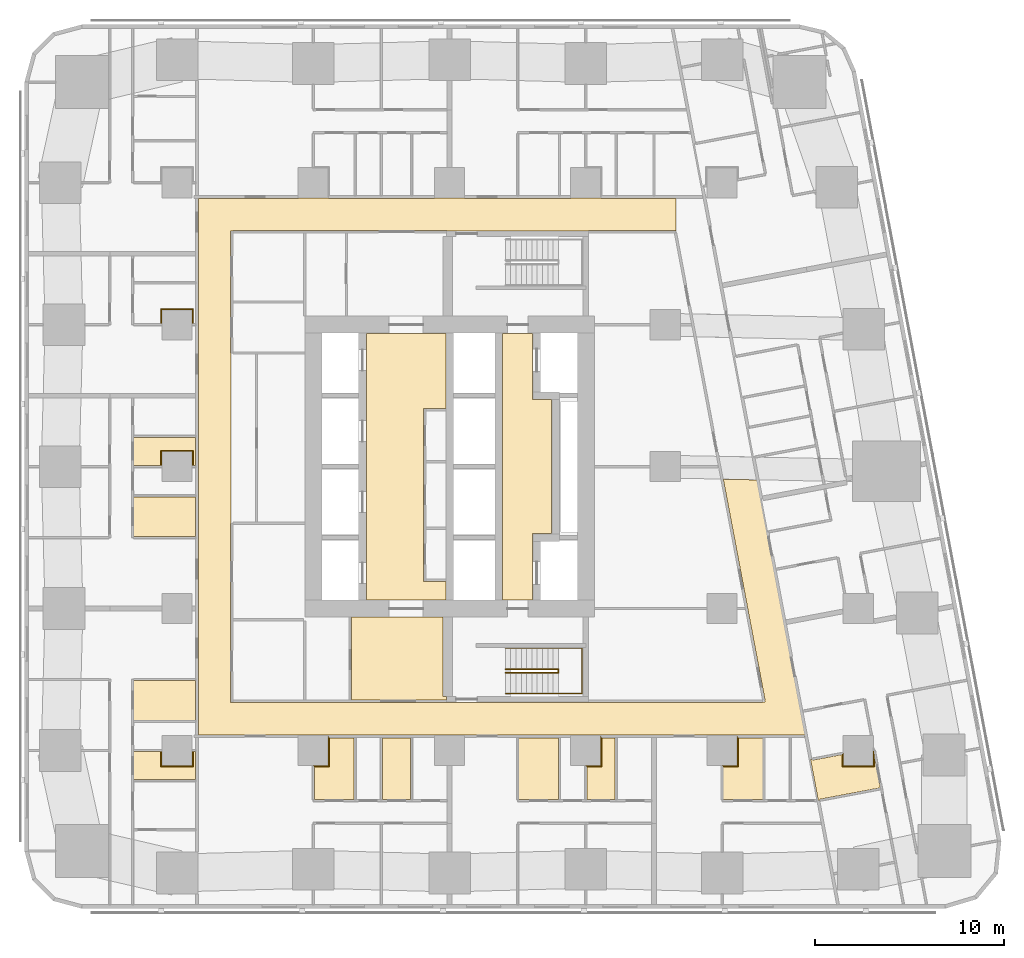
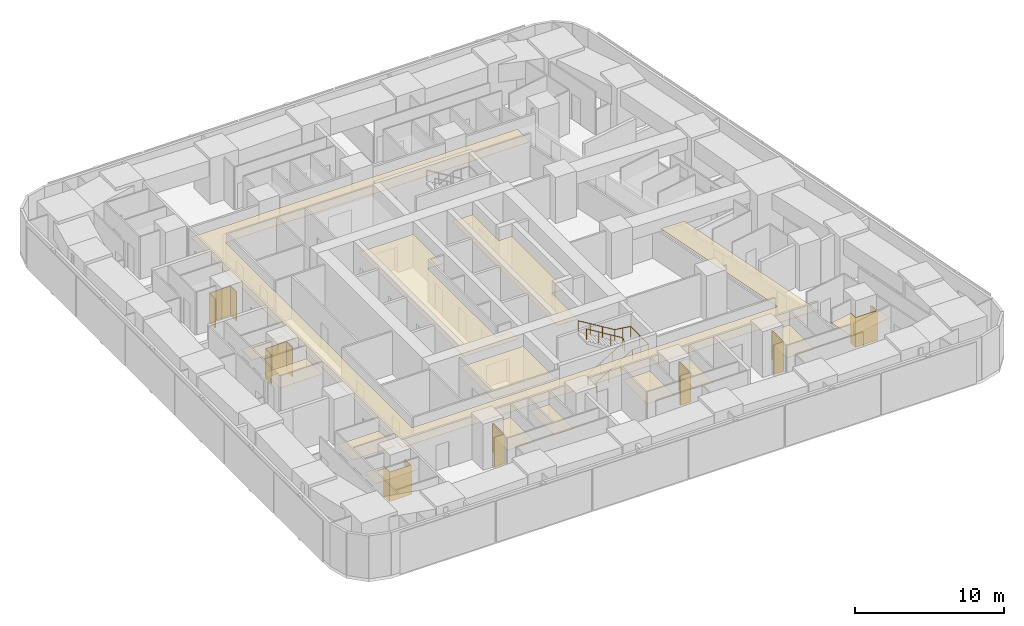
# One storey, part 13 of 15: 21 coverings, 2 railings.
"""IFC4 building model written with IfcOpenShell, lengths in metres."""

from ifc_helpers import new_model, si_unit, direction, frame, origin, origin_2d, place, context, subcontext, project, spatial, polyline, circle, outline, extrude, material, layer, layer_set, type_object, element, save


model = new_model("IFC4")

# Units and contexts
model_context = context("Model", 3, precision=1e-05, world=origin(), true_north=direction((0.0, 1.0)))
body_context = subcontext(model_context, "Body", "Model", "MODEL_VIEW")
ifc_project = project(units=[si_unit("LENGTHUNIT", "METRE"), si_unit("AREAUNIT", "SQUARE_METRE"), si_unit("VOLUMEUNIT", "CUBIC_METRE"), si_unit("PLANEANGLEUNIT", "RADIAN"), si_unit("MASSUNIT", "GRAM", prefix="KILO")], contexts=[model_context])

# Site, building, storey
site_placement = place(None, origin())
site = spatial("IfcSite", under=ifc_project, at=site_placement, CompositionType="ELEMENT")
building_placement = place(site_placement, origin())
building = spatial("IfcBuilding", under=site, at=building_placement, Name="Sheger Commons Tower", CompositionType="ELEMENT")
storey_placement = place(building_placement, frame((0.0, 0.0, 107.89990234375)))
storey = spatial("IfcBuildingStorey", under=building, at=storey_placement, Name="L27", CompositionType="ELEMENT", Elevation=107.89990234375)

# Railings
ifc_material_1 = material(Name="Steel handrail, black powder-coated", Category="steel")
railing_type = type_object("IfcRailingType", Name="HANDRAIL 900", PredefinedType="HANDRAIL", material=ifc_material_1)
railing_1_placement = place(storey_placement, frame((24.550048828125, 11.60009765625, 0.170654296875)))
element("IfcRailing", 1, at=railing_1_placement, inside=storey, type_object=railing_type, Name="Stair S1 handrail L27", PredefinedType="HANDRAIL", context=body_context, shape_type="SweptSolid", body=[
    extrude(circle(Radius=0.02392578125, at=origin_2d()), frame((0.0, 0.0, 0.8759765625), z_axis=(0.854202870247, 0.0, 0.519939858505), x_axis=(0.0, 1.0, 0.0)), (0.0, 0.0, 1.0), 3.278076171875),
    extrude(circle(Radius=0.02392578125, at=origin_2d()), frame((2.800048828125, 0.0, 2.580078125), z_axis=(0.0, 0.760631612298, 0.649183757016), x_axis=(-1.0, 0.0, 0.0)), (0.0, 0.0, 1.0), 0.262939453125),
    extrude(circle(Radius=0.02392578125, at=origin_2d()), frame((2.800048828125, 0.199951171875, 2.7509765625), z_axis=(-0.854202870247, 0.0, 0.519939858505), x_axis=(0.0, -1.0, 0.0)), (0.0, 0.0, 1.0), 3.278076171875),
    extrude(circle(Radius=0.02099609375, at=origin_2d()), origin(), (0.0, 0.0, 1.0), 0.851806640625),
    extrude(circle(Radius=0.02099609375, at=origin_2d()), frame((0.933349609375, 0.0, 0.568115234375)), (0.0, 0.0, 1.0), 0.851806640625),
    extrude(circle(Radius=0.02099609375, at=origin_2d()), frame((1.86669921875, 0.0, 1.13623046875)), (0.0, 0.0, 1.0), 0.851806640625),
    extrude(circle(Radius=0.02099609375, at=origin_2d()), frame((2.800048828125, 0.0, 1.704345703125)), (0.0, 0.0, 1.0), 0.851806640625),
    extrude(circle(Radius=0.02099609375, at=origin_2d()), frame((2.800048828125, 0.199951171875, 1.875)), (0.0, 0.0, 1.0), 0.851806640625),
    extrude(circle(Radius=0.02099609375, at=origin_2d()), frame((1.86669921875, 0.199951171875, 2.443115234375)), (0.0, 0.0, 1.0), 0.851806640625),
    extrude(circle(Radius=0.02099609375, at=origin_2d()), frame((0.933349609375, 0.199951171875, 3.01123046875)), (0.0, 0.0, 1.0), 0.851806640625),
    extrude(circle(Radius=0.02099609375, at=origin_2d()), frame((0.0, 0.199951171875, 3.579345703125)), (0.0, 0.0, 1.0), 0.851806640625),
])
railing_2_placement = place(storey_placement, frame((24.550048828125, 10.5, 0.170654296875)))
element("IfcRailing", 2, at=railing_2_placement, inside=storey, type_object=railing_type, Name="Stair S1 handrail L27", PredefinedType="HANDRAIL", context=body_context, shape_type="SweptSolid", body=[
    extrude(circle(Radius=0.02392578125, at=origin_2d()), frame((0.0, 0.0, 0.8759765625), z_axis=(0.854202870247, 0.0, 0.519939858505), x_axis=(0.0, 1.0, 0.0)), (0.0, 0.0, 1.0), 3.278076171875),
    extrude(circle(Radius=0.02392578125, at=origin_2d()), frame((2.800048828125, 0.0, 2.580078125), z_axis=(1.0, 0.0, 0.0), x_axis=(0.0, 1.0, 0.0)), (0.0, 0.0, 1.0), 1.25),
    extrude(circle(Radius=0.02392578125, at=origin_2d()), frame((4.050048828125, 0.0, 2.580078125), z_axis=(0.0, 1.0, 0.0), x_axis=(-1.0, 0.0, 0.0)), (0.0, 0.0, 1.0), 2.39990234375),
    extrude(circle(Radius=0.02392578125, at=origin_2d()), frame((4.050048828125, 2.39990234375, 2.580078125), z_axis=(-0.990808959222, 0.0, 0.135268645019), x_axis=(0.0, -1.0, 0.0)), (0.0, 0.0, 1.0), 1.261474609375),
    extrude(circle(Radius=0.02392578125, at=origin_2d()), frame((2.800048828125, 2.39990234375, 2.7509765625), z_axis=(-0.854202870247, 0.0, 0.519939858505), x_axis=(0.0, -1.0, 0.0)), (0.0, 0.0, 1.0), 3.278076171875),
    extrude(circle(Radius=0.02099609375, at=origin_2d()), origin(), (0.0, 0.0, 1.0), 0.851806640625),
    extrude(circle(Radius=0.02099609375, at=origin_2d()), frame((0.933349609375, 0.0, 0.568115234375)), (0.0, 0.0, 1.0), 0.851806640625),
    extrude(circle(Radius=0.02099609375, at=origin_2d()), frame((1.86669921875, 0.0, 1.13623046875)), (0.0, 0.0, 1.0), 0.851806640625),
    extrude(circle(Radius=0.02099609375, at=origin_2d()), frame((2.800048828125, 0.0, 1.704345703125)), (0.0, 0.0, 1.0), 0.851806640625),
    extrude(circle(Radius=0.02099609375, at=origin_2d()), frame((3.425048828125, 0.0, 1.704345703125)), (0.0, 0.0, 1.0), 0.851806640625),
    extrude(circle(Radius=0.02099609375, at=origin_2d()), frame((4.050048828125, 0.0, 1.704345703125)), (0.0, 0.0, 1.0), 0.851806640625),
    extrude(circle(Radius=0.02099609375, at=origin_2d()), frame((4.050048828125, 1.199951171875, 1.704345703125)), (0.0, 0.0, 1.0), 0.851806640625),
    extrude(circle(Radius=0.02099609375, at=origin_2d()), frame((4.050048828125, 2.39990234375, 1.704345703125)), (0.0, 0.0, 1.0), 0.851806640625),
    extrude(circle(Radius=0.02099609375, at=origin_2d()), frame((3.425048828125, 2.39990234375, 1.78955078125)), (0.0, 0.0, 1.0), 0.851806640625),
    extrude(circle(Radius=0.02099609375, at=origin_2d()), frame((2.800048828125, 2.39990234375, 1.875)), (0.0, 0.0, 1.0), 0.851806640625),
    extrude(circle(Radius=0.02099609375, at=origin_2d()), frame((1.86669921875, 2.39990234375, 2.443115234375)), (0.0, 0.0, 1.0), 0.851806640625),
    extrude(circle(Radius=0.02099609375, at=origin_2d()), frame((0.933349609375, 2.39990234375, 3.01123046875)), (0.0, 0.0, 1.0), 0.851806640625),
    extrude(circle(Radius=0.02099609375, at=origin_2d()), frame((0.0, 2.39990234375, 3.579345703125)), (0.0, 0.0, 1.0), 0.851806640625),
])

# Coverings
ifc_material_2 = material(Name="Moisture-resistant gypsum plasterboard 15 mm on a suspended galvanised steel grid", Category="steel")
ifc_layer_1 = layer(ifc_material_2, 0.014892578125)
ifc_layer_set_1 = layer_set([ifc_layer_1], Name="MOISTURE-RESISTANT CEILING 15")
covering_type_1 = type_object("IfcCoveringType", Name="MOISTURE-RESISTANT CEILING 15", PredefinedType="CEILING", material=ifc_layer_set_1)
covering_1_placement = place(storey_placement, frame((0.0, 0.0, 2.400146484375)))
element("IfcCovering", 3, at=covering_1_placement, inside=storey, type_object=covering_type_1, Name="L27-01.B1 ceiling", PredefinedType="CEILING", context=body_context, shape_type="SweptSolid", body=[
    extrude(outline(polyline([(4.905029296875, 9.094970703125), (8.169921875, 9.094970703125), (8.169921875, 11.195068359375), (4.905029296875, 11.195068359375), (4.905029296875, 9.094970703125)])), origin(), (0.0, 0.0, 1.0), 0.014892578125),
])
covering_2_placement = place(storey_placement, frame((0.0, 0.0, 2.400146484375)))
element("IfcCovering", 4, at=covering_2_placement, inside=storey, type_object=covering_type_1, Name="L27-01.B2 ceiling", PredefinedType="CEILING", context=body_context, shape_type="SweptSolid", body=[
    extrude(outline(polyline([(4.905029296875, 5.955078125), (8.169921875, 5.955078125), (8.169921875, 7.445068359375), (8.0048828125, 7.445068359375), (8.0048828125, 6.695068359375), (6.39501953125, 6.695068359375), (6.39501953125, 7.445068359375), (4.905029296875, 7.445068359375), (4.905029296875, 5.955078125)])), origin(), (0.0, 0.0, 1.0), 0.014892578125),
])
covering_3_placement = place(storey_placement, frame((0.0, 0.0, 2.400146484375)))
element("IfcCovering", 5, at=covering_3_placement, inside=storey, type_object=covering_type_1, Name="L27-02.B1 ceiling", PredefinedType="CEILING", context=body_context, shape_type="SweptSolid", body=[
    extrude(outline(polyline([(4.905029296875, 18.804931640625), (8.169921875, 18.804931640625), (8.169921875, 20.905029296875), (4.905029296875, 20.905029296875), (4.905029296875, 18.804931640625)])), origin(), (0.0, 0.0, 1.0), 0.014892578125),
])
covering_4_placement = place(storey_placement, frame((0.0, 0.0, 2.400146484375)))
element("IfcCovering", 6, at=covering_4_placement, inside=storey, type_object=covering_type_1, Name="L27-02.B2 ceiling", PredefinedType="CEILING", context=body_context, shape_type="SweptSolid", body=[
    extrude(outline(polyline([(4.905029296875, 22.554931640625), (6.39501953125, 22.554931640625), (6.39501953125, 23.304931640625), (8.0048828125, 23.304931640625), (8.0048828125, 22.554931640625), (8.169921875, 22.554931640625), (8.169921875, 24.044921875), (4.905029296875, 24.044921875), (4.905029296875, 22.554931640625)])), origin(), (0.0, 0.0, 1.0), 0.014892578125),
])
covering_5_placement = place(storey_placement, frame((0.0, 0.0, 2.400146484375)))
element("IfcCovering", 7, at=covering_5_placement, inside=storey, type_object=covering_type_1, Name="L27-05.B1 ceiling", PredefinedType="CEILING", context=body_context, shape_type="SweptSolid", body=[
    extrude(outline(polyline([(14.455078125, 4.905029296875), (16.554931640625, 4.905029296875), (16.554931640625, 8.169921875), (15.205078125, 8.169921875), (15.205078125, 6.695068359375), (14.455078125, 6.695068359375), (14.455078125, 4.905029296875)])), origin(), (0.0, 0.0, 1.0), 0.014892578125),
])
covering_6_placement = place(storey_placement, frame((0.0, 0.0, 2.400146484375)))
element("IfcCovering", 8, at=covering_6_placement, inside=storey, type_object=covering_type_1, Name="L27-05.B2 ceiling", PredefinedType="CEILING", context=body_context, shape_type="SweptSolid", body=[
    extrude(outline(polyline([(18.054931640625, 4.905029296875), (19.544921875, 4.905029296875), (19.544921875, 8.169921875), (18.054931640625, 8.169921875), (18.054931640625, 4.905029296875)])), origin(), (0.0, 0.0, 1.0), 0.014892578125),
])
covering_7_placement = place(storey_placement, frame((0.0, 0.0, 2.400146484375)))
element("IfcCovering", 9, at=covering_7_placement, inside=storey, type_object=covering_type_1, Name="L27-06.B1 ceiling", PredefinedType="CEILING", context=body_context, shape_type="SweptSolid", body=[
    extrude(outline(polyline([(25.2548828125, 4.905029296875), (27.35498046875, 4.905029296875), (27.35498046875, 8.169921875), (25.2548828125, 8.169921875), (25.2548828125, 4.905029296875)])), origin(), (0.0, 0.0, 1.0), 0.014892578125),
])
covering_8_placement = place(storey_placement, frame((0.0, 0.0, 2.400146484375)))
element("IfcCovering", 10, at=covering_8_placement, inside=storey, type_object=covering_type_1, Name="L27-06.B2 ceiling", PredefinedType="CEILING", context=body_context, shape_type="SweptSolid", body=[
    extrude(outline(polyline([(28.85498046875, 4.905029296875), (30.344970703125, 4.905029296875), (30.344970703125, 8.169921875), (29.60498046875, 8.169921875), (29.60498046875, 6.695068359375), (28.85498046875, 6.695068359375), (28.85498046875, 4.905029296875)])), origin(), (0.0, 0.0, 1.0), 0.014892578125),
])
covering_9_placement = place(storey_placement, frame((0.0, 0.0, 2.400146484375)))
element("IfcCovering", 11, at=covering_9_placement, inside=storey, type_object=covering_type_1, Name="L27-07.B1 ceiling", PredefinedType="CEILING", context=body_context, shape_type="SweptSolid", body=[
    extrude(outline(polyline([(36.054931640625, 4.905029296875), (38.155029296875, 4.905029296875), (38.155029296875, 8.169921875), (36.804931640625, 8.169921875), (36.804931640625, 6.695068359375), (36.054931640625, 6.695068359375), (36.054931640625, 4.905029296875)])), origin(), (0.0, 0.0, 1.0), 0.014892578125),
])
covering_10_placement = place(storey_placement, frame((0.0, 0.0, 2.400146484375)))
element("IfcCovering", 12, at=covering_10_placement, inside=storey, type_object=covering_type_1, Name="L27-11.B1 ceiling", PredefinedType="CEILING", context=body_context, shape_type="SweptSolid", body=[
    extrude(outline(polyline([(41.087890625, 4.85205078125), (41.156005859375, 4.864990234375), (41.14599609375, 4.9189453125), (44.364013671875, 5.527099609375), (44.007080078125, 7.4150390625), (44.0048828125, 7.4150390625), (44.0048828125, 6.695068359375), (42.39501953125, 6.695068359375), (42.39501953125, 7.29296875), (40.756103515625, 6.98291015625), (40.74609375, 7.037109375), (40.677001953125, 7.02392578125), (41.087890625, 4.85205078125)])), origin(), (0.0, 0.0, 1.0), 0.014892578125),
])
ifc_material_3 = material(Name="Gypsum plasterboard 15 mm on a suspended steel grid", Category="steel")
ifc_layer_2 = layer(ifc_material_3, 0.014892578125)
ifc_layer_set_2 = layer_set([ifc_layer_2], Name="SUSPENDED CEILING 15")
covering_type_2 = type_object("IfcCoveringType", Name="SUSPENDED CEILING 15", PredefinedType="CEILING", material=ifc_layer_set_2)
covering_11_placement = place(storey_placement, frame((0.0, 0.0, 2.7001953125)))
element("IfcCovering", 13, at=covering_11_placement, inside=storey, type_object=covering_type_2, Name="L27-CO ceiling", PredefinedType="CEILING", context=body_context, shape_type="SweptSolid", body=[
    extrude(outline(polyline([(40.361083984375, 8.25), (40.446044921875, 8.25), (37.886962890625, 21.7958984375), (36.06591796875, 21.8330078125), (38.26904296875, 10.1708984375), (38.251953125, 10.1669921875), (38.27392578125, 10.050048828125), (38.14306640625, 10.050048828125), (38.14306640625, 10.031982421875), (28.945068359375, 10.031982421875), (28.945068359375, 10.044921875), (21.455078125, 10.044921875), (21.455078125, 10.031982421875), (10.157958984375, 10.031982421875), (10.157958984375, 10.044921875), (10.031982421875, 10.044921875), (10.031982421875, 19.5048828125), (10.050048828125, 19.5048828125), (10.050048828125, 28.4951171875), (10.031982421875, 28.4951171875), (10.031982421875, 34.955078125), (10.157958984375, 34.955078125), (10.157958984375, 34.968017578125), (21.455078125, 34.968017578125), (21.455078125, 34.949951171875), (28.945068359375, 34.949951171875), (28.945068359375, 34.968017578125), (33.54296875, 34.968017578125), (33.54296875, 34.949951171875), (33.568115234375, 34.949951171875), (33.568115234375, 36.669921875), (29.595947265625, 36.669921875), (29.595947265625, 36.695068359375), (28.00390625, 36.695068359375), (28.00390625, 36.669921875), (22.39599609375, 36.669921875), (22.39599609375, 36.695068359375), (20.803955078125, 36.695068359375), (20.803955078125, 36.669921875), (15.196044921875, 36.669921875), (15.196044921875, 36.695068359375), (13.60400390625, 36.695068359375), (13.60400390625, 36.669921875), (8.330078125, 36.669921875), (8.330078125, 8.330078125), (13.60400390625, 8.330078125), (13.60400390625, 8.304931640625), (15.196044921875, 8.304931640625), (15.196044921875, 8.330078125), (20.803955078125, 8.330078125), (20.803955078125, 8.304931640625), (22.39599609375, 8.304931640625), (22.39599609375, 8.330078125), (28.00390625, 8.330078125), (28.00390625, 8.304931640625), (29.595947265625, 8.304931640625), (29.595947265625, 8.330078125), (35.2041015625, 8.330078125), (35.2041015625, 8.304931640625), (36.7958984375, 8.304931640625), (36.7958984375, 8.330078125), (40.361083984375, 8.330078125), (40.361083984375, 8.25)])), origin(), (0.0, 0.0, 1.0), 0.014892578125),
])
covering_12_placement = place(storey_placement, frame((0.0, 0.0, 2.7001953125)))
element("IfcCovering", 14, at=covering_12_placement, inside=storey, type_object=covering_type_2, Name="L27-SVS1 ceiling", PredefinedType="CEILING", context=body_context, shape_type="SweptSolid", body=[
    extrude(outline(polyline([(16.406982421875, 10.16796875), (21.445068359375, 10.16796875), (21.445068359375, 10.344970703125), (21.2451171875, 10.344970703125), (21.2451171875, 14.544921875), (16.406982421875, 14.544921875), (16.406982421875, 10.16796875)])), origin(), (0.0, 0.0, 1.0), 0.014892578125),
])
covering_13_placement = place(storey_placement, frame((0.0, 0.0, 2.7001953125)))
element("IfcCovering", 15, at=covering_13_placement, inside=storey, type_object=covering_type_2, Name="L27-LL ceiling", PredefinedType="CEILING", context=body_context, shape_type="SweptSolid", body=[
    extrude(outline(polyline([(17.205078125, 15.455078125), (21.39990234375, 15.455078125), (21.39990234375, 16.43310546875), (20.35791015625, 16.43310546875), (20.23291015625, 16.43310546875), (20.23291015625, 25.56689453125), (20.35791015625, 25.56689453125), (21.39990234375, 25.56689453125), (21.39990234375, 29.544921875), (17.205078125, 29.544921875), (17.205078125, 15.455078125)])), origin(), (0.0, 0.0, 1.0), 0.014892578125),
])
covering_14_placement = place(storey_placement, frame((0.0, 0.0, 2.7001953125)))
element("IfcCovering", 16, at=covering_14_placement, inside=storey, type_object=covering_type_2, Name="L27-FL ceiling", PredefinedType="CEILING", context=body_context, shape_type="SweptSolid", body=[
    extrude(outline(polyline([(24.405029296875, 15.455078125), (25.9951171875, 15.455078125), (25.9951171875, 18.955078125), (26.9951171875, 18.955078125), (26.9951171875, 26.044921875), (25.9951171875, 26.044921875), (25.9951171875, 29.544921875), (24.405029296875, 29.544921875), (24.405029296875, 15.455078125)])), origin(), (0.0, 0.0, 1.0), 0.014892578125),
])
ifc_material_4 = material(Name="Moisture-resistant gypsum board 12.5 mm on 25 mm treated timber battens, tanked and tiled", Category="wood")
ifc_layer_3 = layer(ifc_material_4, 0.050048828125)
ifc_layer_set_3 = layer_set([ifc_layer_3], Name="WET-ROOM COLUMN LINING")
covering_type_3 = type_object("IfcCoveringType", Name="WET-ROOM COLUMN LINING", PredefinedType="CLADDING", material=ifc_layer_set_3)
covering_15_placement = place(storey_placement, origin())
element("IfcCovering", 17, at=covering_15_placement, inside=storey, type_object=covering_type_3, Name="Shower room column lining C9 L27", PredefinedType="CLADDING", context=body_context, shape_type="SweptSolid", body=[
    extrude(outline(polyline([(6.39990234375, 7.5), (6.39990234375, 6.699951171875), (8.0, 6.699951171875), (8.0, 7.5), (8.0009765625, 7.5), (8.0009765625, 7.449951171875), (8.050048828125, 7.449951171875), (8.050048828125, 6.64990234375), (6.35009765625, 6.64990234375), (6.35009765625, 7.449951171875), (6.39892578125, 7.449951171875), (6.39892578125, 7.5), (6.39990234375, 7.5)])), origin(), (0.0, 0.0, 1.0), 2.400146484375),
])
covering_16_placement = place(storey_placement, origin())
element("IfcCovering", 18, at=covering_16_placement, inside=storey, type_object=covering_type_3, Name="Bathroom column lining C9 L27", PredefinedType="CLADDING", context=body_context, shape_type="SweptSolid", body=[
    extrude(outline(polyline([(14.449951171875, 6.64990234375), (14.449951171875, 6.698974609375), (14.39990234375, 6.698974609375), (14.39990234375, 6.699951171875), (15.199951171875, 6.699951171875), (15.199951171875, 8.25), (15.200927734375, 8.25), (15.200927734375, 8.175048828125), (15.25, 8.175048828125), (15.25, 6.64990234375), (14.449951171875, 6.64990234375)])), origin(), (0.0, 0.0, 1.0), 2.400146484375),
])
covering_17_placement = place(storey_placement, origin())
element("IfcCovering", 19, at=covering_17_placement, inside=storey, type_object=covering_type_3, Name="Shower room column lining C9 L27", PredefinedType="CLADDING", context=body_context, shape_type="SweptSolid", body=[
    extrude(outline(polyline([(28.85009765625, 6.64990234375), (28.85009765625, 6.698974609375), (28.800048828125, 6.698974609375), (28.800048828125, 6.699951171875), (29.60009765625, 6.699951171875), (29.60009765625, 8.25), (29.60107421875, 8.25), (29.60107421875, 8.175048828125), (29.64990234375, 8.175048828125), (29.64990234375, 6.64990234375), (28.85009765625, 6.64990234375)])), origin(), (0.0, 0.0, 1.0), 2.400146484375),
])
covering_18_placement = place(storey_placement, origin())
element("IfcCovering", 20, at=covering_18_placement, inside=storey, type_object=covering_type_3, Name="Bathroom column lining C9 L27", PredefinedType="CLADDING", context=body_context, shape_type="SweptSolid", body=[
    extrude(outline(polyline([(36.050048828125, 6.64990234375), (36.050048828125, 6.698974609375), (36.0, 6.698974609375), (36.0, 6.699951171875), (36.800048828125, 6.699951171875), (36.800048828125, 8.25), (36.801025390625, 8.25), (36.801025390625, 8.175048828125), (36.85009765625, 8.175048828125), (36.85009765625, 6.64990234375), (36.050048828125, 6.64990234375)])), origin(), (0.0, 0.0, 1.0), 2.400146484375),
])
covering_19_placement = place(storey_placement, origin())
element("IfcCovering", 21, at=covering_19_placement, inside=storey, type_object=covering_type_3, Name="Bathroom column lining C9 L27", PredefinedType="CLADDING", context=body_context, shape_type="SweptSolid", body=[
    extrude(outline(polyline([(42.39990234375, 7.34912109375), (42.39990234375, 6.699951171875), (44.0, 6.699951171875), (44.0, 7.47998046875), (44.050048828125, 7.215087890625), (44.050048828125, 6.64990234375), (42.35009765625, 6.64990234375), (42.35009765625, 7.2900390625), (42.39892578125, 7.299072265625), (42.389892578125, 7.346923828125), (42.39990234375, 7.34912109375)])), origin(), (0.0, 0.0, 1.0), 2.400146484375),
])
covering_20_placement = place(storey_placement, origin())
element("IfcCovering", 22, at=covering_20_placement, inside=storey, type_object=covering_type_3, Name="Shower room column lining C9 L27", PredefinedType="CLADDING", context=body_context, shape_type="SweptSolid", body=[
    extrude(outline(polyline([(8.050048828125, 23.35009765625), (8.050048828125, 22.550048828125), (8.0009765625, 22.550048828125), (8.0009765625, 22.5), (8.0, 22.5), (8.0, 23.300048828125), (6.39990234375, 23.300048828125), (6.39990234375, 22.5), (6.39892578125, 22.5), (6.39892578125, 22.550048828125), (6.35009765625, 22.550048828125), (6.35009765625, 23.35009765625), (8.050048828125, 23.35009765625)])), origin(), (0.0, 0.0, 1.0), 2.400146484375),
])
covering_21_placement = place(storey_placement, origin())
element("IfcCovering", 23, at=covering_21_placement, inside=storey, type_object=covering_type_3, Name="Bathroom column lining C9 L27", PredefinedType="CLADDING", context=body_context, shape_type="SweptSolid", body=[
    extrude(outline(polyline([(8.050048828125, 30.85009765625), (8.050048828125, 30.050048828125), (8.0009765625, 30.050048828125), (8.0009765625, 30.0), (8.0, 30.0), (8.0, 30.800048828125), (6.39990234375, 30.800048828125), (6.39990234375, 30.0), (6.39892578125, 30.0), (6.39892578125, 30.050048828125), (6.35009765625, 30.050048828125), (6.35009765625, 30.85009765625), (8.050048828125, 30.85009765625)])), origin(), (0.0, 0.0, 1.0), 2.400146484375),
])

save(model, "model.ifc")
